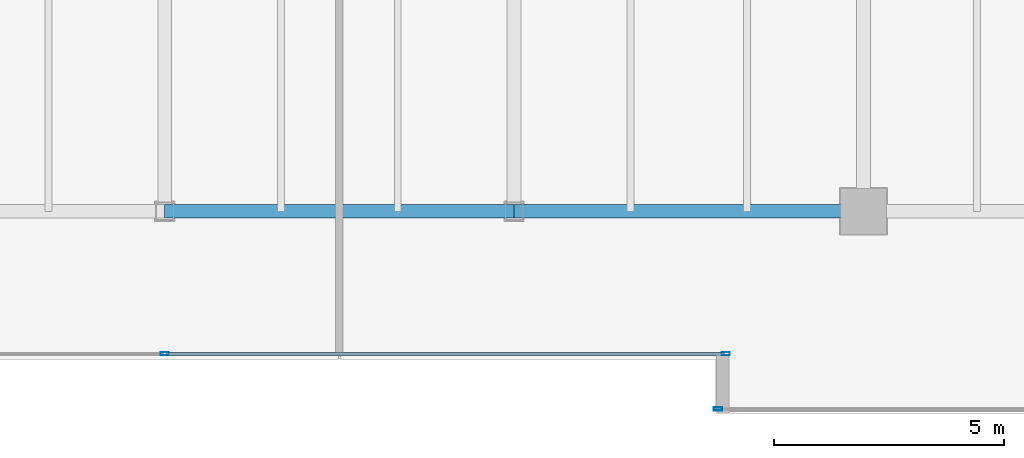
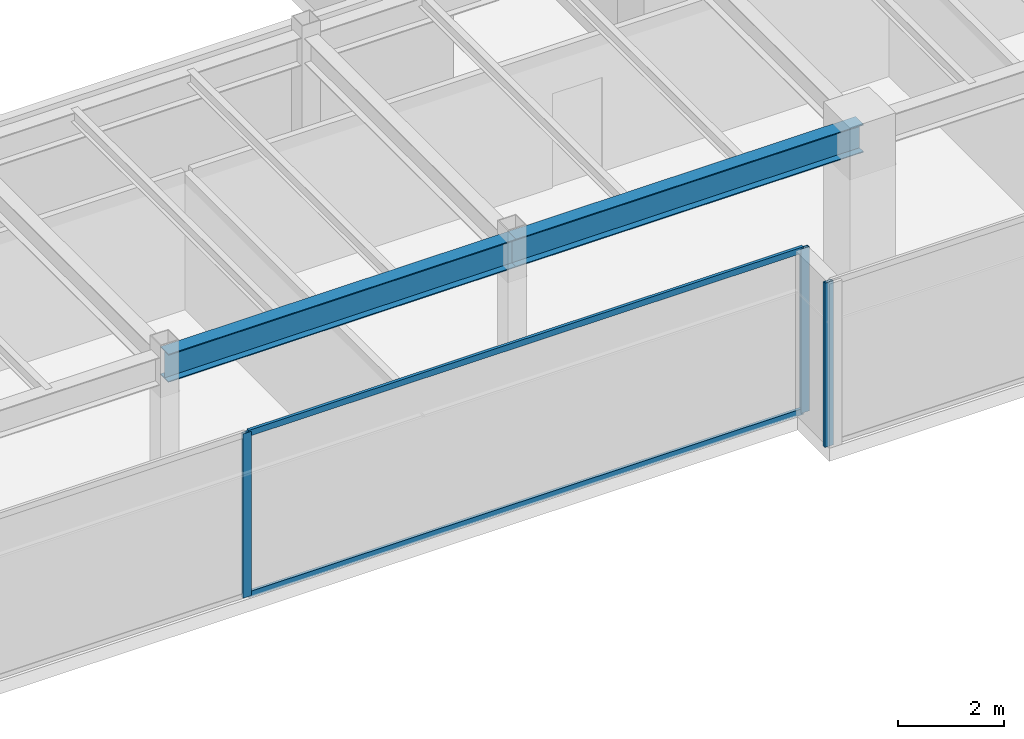
# One storey, part 11 of 35: 5 members, 2 beams, 2 elements without a shape of their own.
"""IFC4 building model written with IfcOpenShell, lengths in metres."""

from ifc_helpers import new_model, si_unit, direction, frame, origin, origin_2d, place, context, subcontext, project, spatial, hollow_rectangle, i_section, extrude, source, transform, mapped, material, layer, layer_set, material_profile, profile_set, type_object, type_shapes, element, aggregate, save


model = new_model("IFC4")

# Units and contexts
model_context = context("Model", 3, precision=1e-05, world=origin(), true_north=direction((0.0, 1.0)))
body_context = subcontext(model_context, "Body", "Model", "MODEL_VIEW")
ifc_project = project(units=[si_unit("LENGTHUNIT", "METRE"), si_unit("AREAUNIT", "SQUARE_METRE"), si_unit("VOLUMEUNIT", "CUBIC_METRE"), si_unit("PLANEANGLEUNIT", "RADIAN"), si_unit("MASSUNIT", "GRAM", prefix="KILO")], contexts=[model_context])

# Site, building, storey
site_placement = place(None, origin())
site = spatial("IfcSite", under=ifc_project, at=site_placement, CompositionType="ELEMENT")
building_placement = place(site_placement, origin())
building = spatial("IfcBuilding", under=site, at=building_placement, Name="Haelvirn Gate Laboratories", CompositionType="ELEMENT")
storey_placement = place(building_placement, frame((0.0, 0.0, 221.89990234375)))
storey = spatial("IfcBuildingStorey", under=building, at=storey_placement, Name="L53", CompositionType="ELEMENT", Elevation=221.89990234375)

# Beams
ifc_material_1 = material(Name="Steel SM355", Category="steel")
ifc_material_profile_1 = material_profile(ifc_material_1, i_section(OverallWidth=0.300048828125, OverallDepth=0.64990234375, WebThickness=0.012939453125, FlangeThickness=0.02197265625, at=origin_2d()), Name="H-650x300x13x22")
ifc_profile_set_1 = profile_set([ifc_material_profile_1], Name="Steel SM355")
beam_type = type_object("IfcBeamType", Name="BM-G-650", PredefinedType="BEAM", material=ifc_profile_set_1)
shared_shape_1 = source(origin(), body_context, "Body", "SweptSolid", [
    extrude(i_section(OverallWidth=0.300048828125, OverallDepth=0.64990234375, WebThickness=0.012939453125, FlangeThickness=0.02197265625, at=origin_2d()), origin(), (0.0, 0.0, 1.0), 7.60009765625),
])
type_shapes(beam_type, [shared_shape_1])
for number, where, z_axis, x_axis, name in (
    (1, (37.39990234375, 7.0, 3.47509765625), (1.0, 0.0, 0.0), (0.0, 1.0, 0.0), "L53 Primary Girder Y7.0 (37.4-45.0)"),
    (2, (45.0, 7.0, 3.47509765625), (1.0, 0.0, 0.0), (0.0, 1.0, 0.0), "L53 Primary Girder Y7.0 (45.0-52.6)"),
):
    element("IfcBeam", number, at=place(storey_placement, frame(where, z_axis=z_axis, x_axis=x_axis)), inside=storey, type_object=beam_type, Name=name, PredefinedType="BEAM", context=body_context, shape_type="MappedRepresentation", body=[
        mapped(shared_shape_1, transform((0.0, 0.0, 0.0), scale=1.0)),
    ])

# Curtain wall, members
ifc_material_2 = material(Name="Anodised bronze unitised aluminium & triple low-E glass", Category="aluminium")
ifc_layer = layer(ifc_material_2, 0.176025390625, Name="CW-SYS-4")
ifc_layer_set = layer_set([ifc_layer], Name="Anodised bronze unitised aluminium & triple low-E glass")
curtain_wall_type = type_object("IfcCurtainWallType", Name="CW-SYS-4", PredefinedType="NOTDEFINED", material=ifc_layer_set)
curtain_wall_1_placement = place(storey_placement, origin())
curtain_wall_1 = element("IfcCurtainWall", 3, at=curtain_wall_1_placement, inside=storey, type_object=curtain_wall_type, Name="L53 Unitised Curtain Wall CW-L53-P0-E02-1", PredefinedType="NOTDEFINED")
ifc_material_3 = material(Name="Extruded aluminium 6063-T6 (anodised bronze)", Category="aluminium")
ifc_material_profile_2 = material_profile(ifc_material_3, hollow_rectangle(XDim=0.06494140625, YDim=0.139892578125, WallThickness=0.00390625, at=origin_2d()), Name="CWT-140x65x4")
ifc_profile_set_2 = profile_set([ifc_material_profile_2], Name="Extruded aluminium 6063-T6 (anodised bronze)")
member_type_1 = type_object("IfcMemberType", Name="CWT-T140", PredefinedType="USERDEFINED", material=ifc_profile_set_2)
shared_shape_2 = source(origin(), body_context, "Body", "SweptSolid", [
    extrude(hollow_rectangle(XDim=0.06494140625, YDim=0.139892578125, WallThickness=0.00390625, at=origin_2d()), origin(), (0.0, 0.0, 1.0), 12.135009765625),
])
type_shapes(member_type_1, [shared_shape_2])
member_1_placement = place(storey_placement, frame((37.43505859375, 3.89990234375, 0.03271484375), z_axis=(1.0, 0.0, 0.0), x_axis=(0.0, 1.0, 0.0)))
member_1 = element("IfcMember", 4, at=member_1_placement, type_object=member_type_1, Name="CW4 transom 2.1", ObjectType="TRANSOM", PredefinedType="USERDEFINED", context=body_context, shape_type="MappedRepresentation", body=[
    mapped(shared_shape_2, transform((0.0, 0.0, 0.0), scale=1.0)),
])
member_2_placement = place(storey_placement, frame((37.43505859375, 3.89990234375, 3.767578125), z_axis=(1.0, 0.0, 0.0), x_axis=(0.0, 1.0, 0.0)))
member_2 = element("IfcMember", 5, at=member_2_placement, type_object=member_type_1, Name="CW4 transom 2.2", ObjectType="TRANSOM", PredefinedType="USERDEFINED", context=body_context, shape_type="MappedRepresentation", body=[
    mapped(shared_shape_2, transform((0.0, 0.0, 0.0), scale=1.0)),
])
ifc_material_profile_3 = material_profile(ifc_material_3, hollow_rectangle(XDim=0.070068359375, YDim=0.179931640625, WallThickness=0.0048828125, at=origin_2d()), Name="CWM-180x70x5")
ifc_profile_set_3 = profile_set([ifc_material_profile_3], Name="Extruded aluminium 6063-T6 (anodised bronze)")
member_type_2 = type_object("IfcMemberType", Name="CWM-T180", PredefinedType="MULLION", material=ifc_profile_set_3)
shared_shape_3 = source(origin(), body_context, "Body", "SweptSolid", [
    extrude(hollow_rectangle(XDim=0.070068359375, YDim=0.179931640625, WallThickness=0.0048828125, at=origin_2d()), origin(), (0.0, 0.0, 1.0), 3.800048828125),
])
type_shapes(member_type_2, [shared_shape_3])
member_3_placement = place(storey_placement, frame((37.39990234375, 3.89990234375, 0.0), z_axis=(0.0, 0.0, 1.0), x_axis=(0.0, 1.0, 0.0)))
member_3 = element("IfcMember", 6, at=member_3_placement, type_object=member_type_2, Name="CW4 mullion 2", PredefinedType="MULLION", context=body_context, shape_type="MappedRepresentation", body=[
    mapped(shared_shape_3, transform((0.0, 0.0, 0.0), scale=1.0)),
])
member_4_placement = place(storey_placement, frame((49.60498046875, 3.89990234375, 0.0), z_axis=(0.0, 0.0, 1.0), x_axis=(0.0, 1.0, 0.0)))
member_4 = element("IfcMember", 7, at=member_4_placement, type_object=member_type_2, Name="CW4 mullion 3", PredefinedType="MULLION", context=body_context, shape_type="MappedRepresentation", body=[
    mapped(shared_shape_3, transform((0.0, 0.0, 0.0), scale=1.0)),
])
aggregate(curtain_wall_1, [member_3, member_4, member_1, member_2])

# Curtain wall, member
curtain_wall_2_placement = place(storey_placement, origin())
curtain_wall_2 = element("IfcCurtainWall", 8, at=curtain_wall_2_placement, inside=storey, type_object=curtain_wall_type, Name="L53 Unitised Curtain Wall CW-L53-P0-E04-1", PredefinedType="NOTDEFINED")
member_5_placement = place(storey_placement, frame((49.43505859375, 2.699951171875, 0.0), z_axis=(0.0, 0.0, 1.0), x_axis=(0.0, 1.0, 0.0)))
member_5 = element("IfcMember", 9, at=member_5_placement, type_object=member_type_2, Name="CW4 mullion 1", PredefinedType="MULLION", context=body_context, shape_type="MappedRepresentation", body=[
    mapped(shared_shape_3, transform((0.0, 0.0, 0.0), scale=1.0)),
])
aggregate(curtain_wall_2, [member_5])

save(model, "model.ifc")
